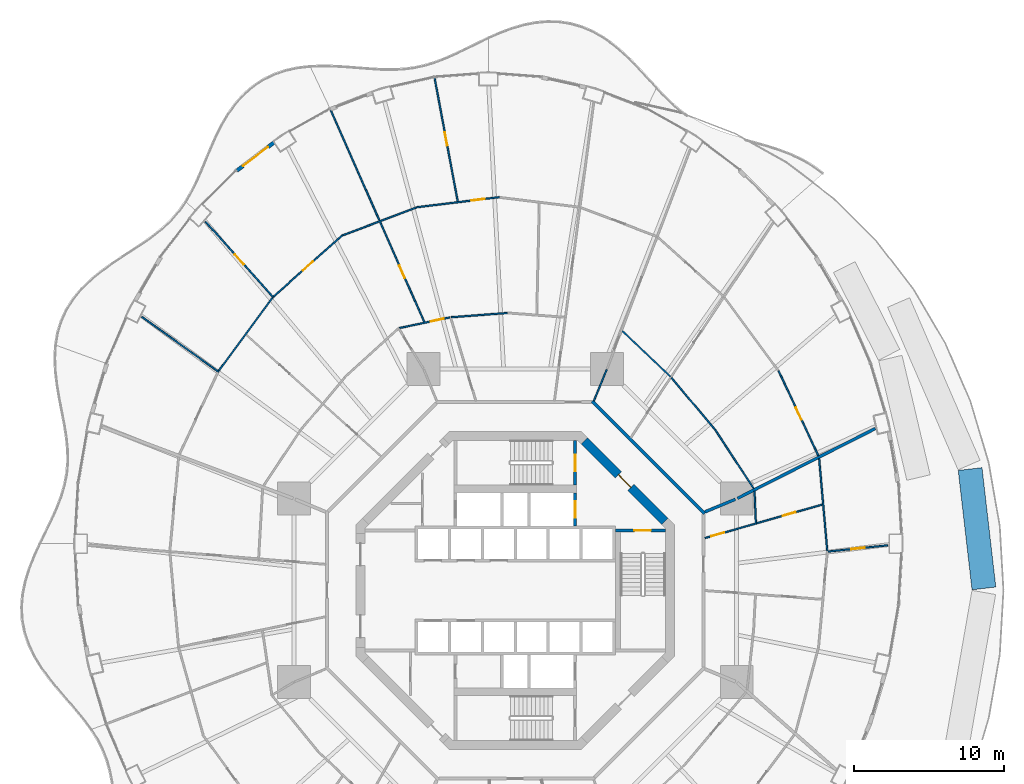
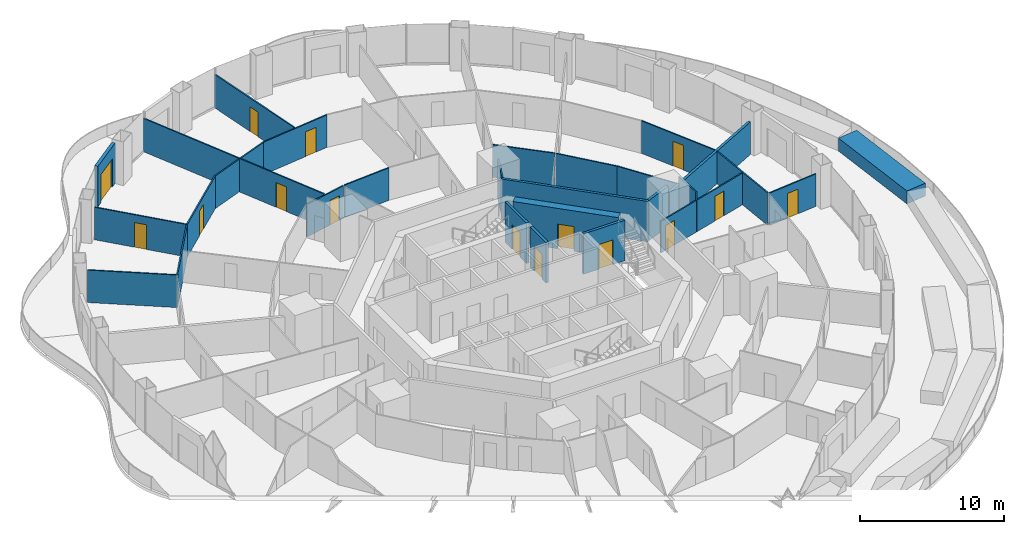
# One storey, part 18 of 22: 28 walls, 15 doors, 15 openings.
"""IFC4 building model written with IfcOpenShell, lengths in metres."""

from ifc_helpers import new_model, si_unit, direction, frame, frame_2d, origin, place, context, subcontext, project, spatial, rectangle, extrude, material, layer, layer_set, type_object, element, fill, save


model = new_model("IFC4")

# Units and contexts
model_context = context("Model", 3, precision=1e-05, world=origin(), true_north=direction((0.0, 1.0)))
body_context = subcontext(model_context, "Body", "Model", "MODEL_VIEW")
ifc_project = project(units=[si_unit("LENGTHUNIT", "METRE"), si_unit("AREAUNIT", "SQUARE_METRE"), si_unit("VOLUMEUNIT", "CUBIC_METRE"), si_unit("PLANEANGLEUNIT", "RADIAN"), si_unit("MASSUNIT", "GRAM", prefix="KILO")], contexts=[model_context])

# Site, building, storey
site_placement = place(None, origin())
site = spatial("IfcSite", under=ifc_project, at=site_placement, CompositionType="ELEMENT")
building_placement = place(site_placement, origin())
building = spatial("IfcBuilding", under=site, at=building_placement, Name="Nagisa Residences", CompositionType="ELEMENT")
storey_placement = place(building_placement, frame((0.0, 0.0, 73.300048828125)))
storey = spatial("IfcBuildingStorey", under=building, at=storey_placement, Name="L17", CompositionType="ELEMENT", Elevation=73.300048828125)

# Walls
ifc_material_1 = material(Name="Gypsum board on steel studs", Category="steel")
ifc_layer_1 = layer(ifc_material_1, 0.199951171875)
ifc_layer_set_1 = layer_set([ifc_layer_1], Name="Apartment compartment wall EI60 200")
wall_type_1 = type_object("IfcWallType", Name="Apartment compartment wall EI60 200", PredefinedType="PARTITIONING", material=ifc_layer_set_1)
wall_1_placement = place(storey_placement, frame((12.6572265625, 5.24267578125, 0.0), z_axis=(0.0, 0.0, 1.0), x_axis=(0.923876145736, 0.382691608661, 0.0)))
element("IfcWall", 1, at=wall_1_placement, inside=storey, type_object=wall_type_1, Name="wall:L17:u00", PredefinedType="PARTITIONING", context=body_context, shape_type="SweptSolid", body=[
    extrude(rectangle(XDim=2.19970703125, YDim=0.199951171875, at=frame_2d((1.099853515625, 0.0))), origin(), (0.0, 0.0, 1.0), 3.43994140625),
])
wall_2_placement = place(storey_placement, frame((14.82666015625, 6.1455078125, 0.0), z_axis=(0.0, 0.0, 1.0), x_axis=(0.892068075337, 0.451901038906, 0.0)))
element("IfcWall", 2, at=wall_2_placement, inside=storey, type_object=wall_type_1, Name="wall:L17:u01", PredefinedType="PARTITIONING", context=body_context, shape_type="SweptSolid", body=[
    extrude(rectangle(XDim=10.31982421875, YDim=0.199951171875, at=frame_2d((5.159912109375, 0.0))), origin(), (0.0, 0.0, 1.0), 2.761962890625),
])
ifc_material_2 = material(Name="Gypsum board on steel studs", Category="steel")
ifc_layer_2 = layer(ifc_material_2, 0.199951171875)
ifc_layer_set_2 = layer_set([ifc_layer_2], Name="Apartment entry wall EI60 200")
wall_type_2 = type_object("IfcWallType", Name="Apartment entry wall EI60 200", PredefinedType="PARTITIONING", material=ifc_layer_set_2)
wall_3_placement = place(storey_placement, frame((12.635498046875, 5.1337890625, 0.0), z_axis=(0.0, 0.0, 1.0), x_axis=(-0.707106781187, 0.707106781187, 0.0)))
element("IfcWall", 3, at=wall_3_placement, inside=storey, type_object=wall_type_2, Name="wall:L17:u09", PredefinedType="PARTITIONING", context=body_context, shape_type="SweptSolid", body=[
    extrude(rectangle(XDim=10.609130859375, YDim=0.199951171875, at=frame_2d((5.3046875, 0.0))), origin(), (0.0, 0.0, 1.0), 3.43994140625),
])

# Wall, opening, door
ifc_material_3 = material(Name="Gypsum board on steel studs", Category="steel")
ifc_layer_3 = layer(ifc_material_3, 0.10009765625)
ifc_layer_set_3 = layer_set([ifc_layer_3], Name="Apartment partition 100")
wall_type_3 = type_object("IfcWallType", Name="Apartment partition 100", PredefinedType="PARTITIONING", material=ifc_layer_set_3)
wall_4_placement = place(storey_placement, frame((20.879150390625, 2.597412109375, 0.0), z_axis=(0.0, 0.0, 1.0), x_axis=(0.994666546694, 0.103142914868, 0.0)))
wall_4 = element("IfcWall", 4, at=wall_4_placement, inside=storey, type_object=wall_type_3, Name="wall:L17:u16", PredefinedType="PARTITIONING", context=body_context, shape_type="SweptSolid", body=[
    extrude(rectangle(XDim=3.997802734375, YDim=0.10009765625, at=frame_2d((1.9990234375, 0.0))), origin(), (0.0, 0.0, 1.0), 2.761962890625),
])
opening_1_placement = place(wall_4_placement, frame((1.548828125, 0.0, 0.0)))
opening_1 = element("IfcOpeningElement", 5, at=opening_1_placement, cuts=wall_4, Name="Opening L17-U54", PredefinedType="OPENING", context=body_context, shape_type="SweptSolid", body=[
    extrude(rectangle(XDim=0.89990234375, YDim=2.10009765625, at=frame_2d((0.449951171875, 1.050048828125))), frame((0.0, 0.06005859375, 0.0), z_axis=(0.0, -1.0, 0.0), x_axis=(1.0, 0.0, 0.0)), (0.0, 0.0, 1.0), 0.1201171875),
])
ifc_material_4 = material(Name="Timber door set", Category="wood")
door_type_1 = type_object("IfcDoorType", Name="Apartment door 900x2100", OperationType="NOTDEFINED", PredefinedType="DOOR", material=ifc_material_4)
door_1_placement = place(opening_1_placement, origin())
door_1 = element("IfcDoor", 6, at=door_1_placement, inside=storey, type_object=door_type_1, Name="Door to master bedroom, Apartment 17D", OperationType="SINGLE_SWING_RIGHT", OverallHeight=2.10009765625, OverallWidth=0.89990234375, PredefinedType="DOOR", context=body_context, shape_type="SweptSolid", body=[
    extrude(rectangle(XDim=0.89990234375, YDim=2.10009765625, at=frame_2d((0.449951171875, 1.050048828125))), frame((0.0, 0.02490234375, 0.0), z_axis=(0.0, -1.0, 0.0), x_axis=(1.0, 0.0, 0.0)), (0.0, 0.0, 1.0), 0.050048828125),
])
fill(opening_1, door_1)

# Wall
wall_5_placement = place(storey_placement, frame((20.8251953125, 2.64208984375, 0.0), z_axis=(0.0, 0.0, 1.0), x_axis=(-0.087760219522, 0.996141628419, 0.0)))
element("IfcWall", 7, at=wall_5_placement, inside=storey, type_object=wall_type_3, Name="wall:L17:u17", PredefinedType="PARTITIONING", context=body_context, shape_type="SweptSolid", body=[
    extrude(rectangle(XDim=6.18701171875, YDim=0.10009765625, at=frame_2d((3.093505859375, 0.0))), origin(), (0.0, 0.0, 1.0), 2.761962890625),
])

# Wall, openings, doors
wall_6_placement = place(storey_placement, frame((12.660888671875, 3.4970703125, 0.0), z_axis=(0.0, 0.0, 1.0), x_axis=(0.961626678623, 0.274361314621, 0.0)))
wall_6 = element("IfcWall", 8, at=wall_6_placement, inside=storey, type_object=wall_type_3, Name="wall:L17:u19", PredefinedType="PARTITIONING", context=body_context, shape_type="SweptSolid", body=[
    extrude(rectangle(XDim=8.155517578125, YDim=0.10009765625, at=frame_2d((4.07763671875, 0.0))), origin(), (0.0, 0.0, 1.0), 2.68701171875),
])
opening_2_placement = place(wall_6_placement, frame((0.4462890625, 0.0, 0.0)))
opening_2 = element("IfcOpeningElement", 9, at=opening_2_placement, cuts=wall_6, Name="Opening L17-U50", PredefinedType="OPENING", context=body_context, shape_type="SweptSolid", body=[
    extrude(rectangle(XDim=0.89990234375, YDim=2.10009765625, at=frame_2d((0.449951171875, 1.050048828125))), frame((0.0, 0.06005859375, 0.0), z_axis=(0.0, -1.0, 0.0), x_axis=(1.0, 0.0, 0.0)), (0.0, 0.0, 1.0), 0.1201171875),
])
opening_3_placement = place(wall_6_placement, frame((5.39013671875, 0.0, 0.0)))
opening_3 = element("IfcOpeningElement", 10, at=opening_3_placement, cuts=wall_6, Name="Opening L17-U52", PredefinedType="OPENING", context=body_context, shape_type="SweptSolid", body=[
    extrude(rectangle(XDim=0.89990234375, YDim=2.10009765625, at=frame_2d((0.449951171875, 1.050048828125))), frame((0.0, 0.06005859375, 0.0), z_axis=(0.0, -1.0, 0.0), x_axis=(1.0, 0.0, 0.0)), (0.0, 0.0, 1.0), 0.1201171875),
])
door_2_placement = place(opening_2_placement, origin())
door_2 = element("IfcDoor", 11, at=door_2_placement, inside=storey, type_object=door_type_1, Name="Door to family bathroom, Apartment 17D", OperationType="SINGLE_SWING_RIGHT", OverallHeight=2.10009765625, OverallWidth=0.89990234375, PredefinedType="DOOR", context=body_context, shape_type="SweptSolid", body=[
    extrude(rectangle(XDim=0.89990234375, YDim=2.10009765625, at=frame_2d((0.449951171875, 1.050048828125))), frame((0.0, 0.02490234375, 0.0), z_axis=(0.0, -1.0, 0.0), x_axis=(1.0, 0.0, 0.0)), (0.0, 0.0, 1.0), 0.050048828125),
])
fill(opening_2, door_2)
door_3_placement = place(opening_3_placement, origin())
door_3 = element("IfcDoor", 12, at=door_3_placement, inside=storey, type_object=door_type_1, Name="Door to family bathroom, Apartment 17D", OperationType="SINGLE_SWING_RIGHT", OverallHeight=2.10009765625, OverallWidth=0.89990234375, PredefinedType="DOOR", context=body_context, shape_type="SweptSolid", body=[
    extrude(rectangle(XDim=0.89990234375, YDim=2.10009765625, at=frame_2d((0.449951171875, 1.050048828125))), frame((0.0, 0.02490234375, 0.0), z_axis=(0.0, -1.0, 0.0), x_axis=(1.0, 0.0, 0.0)), (0.0, 0.0, 1.0), 0.050048828125),
])
fill(opening_3, door_3)

# Walls
wall_7_placement = place(storey_placement, frame((16.064453125, 4.4150390625, 0.0), z_axis=(0.0, 0.0, 1.0), x_axis=(-0.043101501373, 0.999070698489, 0.0)))
element("IfcWall", 13, at=wall_7_placement, inside=storey, type_object=wall_type_3, Name="wall:L17:u20", PredefinedType="PARTITIONING", context=body_context, shape_type="SweptSolid", body=[
    extrude(rectangle(XDim=2.208984375, YDim=0.10009765625, at=frame_2d((1.1044921875, 0.0))), origin(), (0.0, 0.0, 1.0), 3.43994140625),
])
wall_8_placement = place(storey_placement, frame((15.91015625, 6.8056640625, 0.0), z_axis=(0.0, 0.0, 1.0), x_axis=(-0.547468243486, 0.836826458936, 0.0)))
element("IfcWall", 14, at=wall_8_placement, inside=storey, type_object=wall_type_3, Name="wall:L17:u21", PredefinedType="PARTITIONING", context=body_context, shape_type="SweptSolid", body=[
    extrude(rectangle(XDim=4.687744140625, YDim=0.10009765625, at=frame_2d((2.34375, 0.0))), origin(), (0.0, 0.0, 1.0), 2.761962890625),
])

# Wall, opening, door
wall_9_placement = place(storey_placement, frame((20.23095703125, 8.995361328125, 0.0), z_axis=(0.0, 0.0, 1.0), x_axis=(-0.424587886407, 0.905386727712, 0.0)))
wall_9 = element("IfcWall", 15, at=wall_9_placement, inside=storey, type_object=wall_type_3, Name="wall:L17:u22", PredefinedType="PARTITIONING", context=body_context, shape_type="SweptSolid", body=[
    extrude(rectangle(XDim=6.25439453125, YDim=0.10009765625, at=frame_2d((3.127197265625, 0.0))), origin(), (0.0, 0.0, 1.0), 2.761962890625),
])
opening_4_placement = place(wall_9_placement, frame((2.652099609375, 0.0, 0.0)))
opening_4 = element("IfcOpeningElement", 16, at=opening_4_placement, cuts=wall_9, Name="Opening L17-U21", PredefinedType="OPENING", context=body_context, shape_type="SweptSolid", body=[
    extrude(rectangle(XDim=0.89990234375, YDim=2.10009765625, at=frame_2d((0.449951171875, 1.050048828125))), frame((0.0, 0.06005859375, 0.0), z_axis=(0.0, -1.0, 0.0), x_axis=(1.0, 0.0, 0.0)), (0.0, 0.0, 1.0), 0.1201171875),
])
door_4_placement = place(opening_4_placement, frame((0.89990234375, 0.0, 0.0), x_axis=(-1.0, 0.0, 0.0)))
door_4 = element("IfcDoor", 17, at=door_4_placement, inside=storey, type_object=door_type_1, Name="Door to family room, Apartment 17A", OperationType="SINGLE_SWING_RIGHT", OverallHeight=2.10009765625, OverallWidth=0.89990234375, PredefinedType="DOOR", context=body_context, shape_type="SweptSolid", body=[
    extrude(rectangle(XDim=0.89990234375, YDim=2.10009765625, at=frame_2d((0.449951171875, 1.050048828125))), frame((0.0, 0.02490234375, 0.0), z_axis=(0.0, -1.0, 0.0), x_axis=(1.0, 0.0, 0.0)), (0.0, 0.0, 1.0), 0.050048828125),
])
fill(opening_4, door_4)

# Walls
wall_10_placement = place(storey_placement, frame((13.339111328125, 10.724853515625, 0.0), z_axis=(0.0, 0.0, 1.0), x_axis=(-0.642515455924, 0.766272724882, 0.0)))
element("IfcWall", 18, at=wall_10_placement, inside=storey, type_object=wall_type_3, Name="wall:L17:u23", PredefinedType="PARTITIONING", context=body_context, shape_type="SweptSolid", body=[
    extrude(rectangle(XDim=4.537353515625, YDim=0.10009765625, at=frame_2d((2.2685546875, 0.0))), origin(), (0.0, 0.0, 1.0), 2.761962890625),
])
wall_11_placement = place(storey_placement, frame((10.35546875, 14.274169921875, 0.0), z_axis=(0.0, 0.0, 1.0), x_axis=(-0.725219204328, 0.688518050361, 0.0)))
element("IfcWall", 19, at=wall_11_placement, inside=storey, type_object=wall_type_3, Name="wall:L17:u26", PredefinedType="PARTITIONING", context=body_context, shape_type="SweptSolid", body=[
    extrude(rectangle(XDim=4.43701171875, YDim=0.10009765625, at=frame_2d((2.218505859375, 0.0))), origin(), (0.0, 0.0, 1.0), 2.761962890625),
])
wall_12_placement = place(storey_placement, frame((5.24267578125, 12.6572265625, 0.0), z_axis=(0.0, 0.0, 1.0), x_axis=(0.382719158442, 0.923864733477, 0.0)))
element("IfcWall", 20, at=wall_12_placement, inside=storey, type_object=wall_type_3, Name="wall:L17:u28", PredefinedType="PARTITIONING", context=body_context, shape_type="SweptSolid", body=[
    extrude(rectangle(XDim=2.25, YDim=0.10009765625, at=frame_2d((1.125, 0.0))), origin(), (0.0, 0.0, 1.0), 3.43994140625),
])
wall_13_placement = place(storey_placement, frame((-0.535888671875, 18.519287109375, 0.0), z_axis=(0.0, 0.0, 1.0), x_axis=(-0.99715294352, -0.075405618017, 0.0)))
element("IfcWall", 21, at=wall_13_placement, inside=storey, type_object=wall_type_3, Name="wall:L17:u35", PredefinedType="PARTITIONING", context=body_context, shape_type="SweptSolid", body=[
    extrude(rectangle(XDim=3.74609375, YDim=0.10009765625, at=frame_2d((1.873046875, 0.0))), origin(), (0.0, 0.0, 1.0), 2.761962890625),
])

# Wall, opening, door
wall_14_placement = place(storey_placement, frame((-1.06640625, 26.2529296875, 0.0), z_axis=(0.0, 0.0, 1.0), x_axis=(-0.992574197255, -0.121640712523, 0.0)))
wall_14 = element("IfcWall", 22, at=wall_14_placement, inside=storey, type_object=wall_type_3, Name="wall:L17:u36", PredefinedType="PARTITIONING", context=body_context, shape_type="SweptSolid", body=[
    extrude(rectangle(XDim=5.57373046875, YDim=0.10009765625, at=frame_2d((2.786865234375, 0.0))), origin(), (0.0, 0.0, 1.0), 2.761962890625),
])
opening_5_placement = place(wall_14_placement, frame((0.968505859375, 0.0, 0.0)))
opening_5 = element("IfcOpeningElement", 23, at=opening_5_placement, cuts=wall_14, Name="Opening L17-U14", PredefinedType="OPENING", context=body_context, shape_type="SweptSolid", body=[
    extrude(rectangle(XDim=0.89990234375, YDim=2.10009765625, at=frame_2d((0.449951171875, 1.050048828125))), frame((0.0, 0.06005859375, 0.0), z_axis=(0.0, -1.0, 0.0), x_axis=(1.0, 0.0, 0.0)), (0.0, 0.0, 1.0), 0.1201171875),
])
door_5_placement = place(opening_5_placement, frame((0.89990234375, 0.0, 0.0), x_axis=(-1.0, 0.0, 0.0)))
door_5 = element("IfcDoor", 24, at=door_5_placement, inside=storey, type_object=door_type_1, Name="Door to living room, Apartment 17A", OperationType="SINGLE_SWING_LEFT", OverallHeight=2.10009765625, OverallWidth=0.89990234375, PredefinedType="DOOR", context=body_context, shape_type="SweptSolid", body=[
    extrude(rectangle(XDim=0.89990234375, YDim=2.10009765625, at=frame_2d((0.449951171875, 1.050048828125))), frame((0.0, 0.02490234375, 0.0), z_axis=(0.0, -1.0, 0.0), x_axis=(1.0, 0.0, 0.0)), (0.0, 0.0, 1.0), 0.050048828125),
])
fill(opening_5, door_5)

wall_15_placement = place(storey_placement, frame((-3.841796875, 25.963134765625, 0.0), z_axis=(0.0, 0.0, 1.0), x_axis=(-0.184068442651, 0.982913428752, 0.0)))
wall_15 = element("IfcWall", 25, at=wall_15_placement, inside=storey, type_object=wall_type_3, Name="wall:L17:u37", PredefinedType="PARTITIONING", context=body_context, shape_type="SweptSolid", body=[
    extrude(rectangle(XDim=8.505859375, YDim=0.10009765625, at=frame_2d((4.2529296875, 0.0))), origin(), (0.0, 0.0, 1.0), 2.8369140625),
])
opening_6_placement = place(wall_15_placement, frame((3.802978515625, 0.0, 0.0)))
opening_6 = element("IfcOpeningElement", 26, at=opening_6_placement, cuts=wall_15, Name="Opening L17-U15", PredefinedType="OPENING", context=body_context, shape_type="SweptSolid", body=[
    extrude(rectangle(XDim=0.89990234375, YDim=2.10009765625, at=frame_2d((0.449951171875, 1.050048828125))), frame((0.0, 0.06005859375, 0.0), z_axis=(0.0, -1.0, 0.0), x_axis=(1.0, 0.0, 0.0)), (0.0, 0.0, 1.0), 0.1201171875),
])
door_6_placement = place(opening_6_placement, origin())
door_6 = element("IfcDoor", 27, at=door_6_placement, inside=storey, type_object=door_type_1, Name="Door to master bedroom, Apartment 17A", OperationType="SINGLE_SWING_LEFT", OverallHeight=2.10009765625, OverallWidth=0.89990234375, PredefinedType="DOOR", context=body_context, shape_type="SweptSolid", body=[
    extrude(rectangle(XDim=0.89990234375, YDim=2.10009765625, at=frame_2d((0.449951171875, 1.050048828125))), frame((0.0, 0.02490234375, 0.0), z_axis=(0.0, -1.0, 0.0), x_axis=(1.0, 0.0, 0.0)), (0.0, 0.0, 1.0), 0.050048828125),
])
fill(opening_6, door_6)

wall_16_placement = place(storey_placement, frame((-4.369873046875, 18.222900390625, 0.0), z_axis=(0.0, 0.0, 1.0), x_axis=(-0.978619056583, -0.205681166112, 0.0)))
wall_16 = element("IfcWall", 28, at=wall_16_placement, inside=storey, type_object=wall_type_3, Name="wall:L17:u39", PredefinedType="PARTITIONING", context=body_context, shape_type="SweptSolid", body=[
    extrude(rectangle(XDim=3.4375, YDim=0.10009765625, at=frame_2d((1.71875, 0.0))), origin(), (0.0, 0.0, 1.0), 2.761962890625),
])
opening_7_placement = place(wall_16_placement, frame((0.409423828125, 0.0, 0.0)))
opening_7 = element("IfcOpeningElement", 29, at=opening_7_placement, cuts=wall_16, Name="Opening L17-U09", PredefinedType="OPENING", context=body_context, shape_type="SweptSolid", body=[
    extrude(rectangle(XDim=0.89990234375, YDim=2.10009765625, at=frame_2d((0.449951171875, 1.050048828125))), frame((0.0, 0.06005859375, 0.0), z_axis=(0.0, -1.0, 0.0), x_axis=(1.0, 0.0, 0.0)), (0.0, 0.0, 1.0), 0.1201171875),
])
door_7_placement = place(opening_7_placement, frame((0.89990234375, 0.0, 0.0), x_axis=(-1.0, 0.0, 0.0)))
door_7 = element("IfcDoor", 30, at=door_7_placement, inside=storey, type_object=door_type_1, Name="Door to dining room, Apartment 17A", OperationType="SINGLE_SWING_RIGHT", OverallHeight=2.10009765625, OverallWidth=0.89990234375, PredefinedType="DOOR", context=body_context, shape_type="SweptSolid", body=[
    extrude(rectangle(XDim=0.89990234375, YDim=2.10009765625, at=frame_2d((0.449951171875, 1.050048828125))), frame((0.0, 0.02490234375, 0.0), z_axis=(0.0, -1.0, 0.0), x_axis=(1.0, 0.0, 0.0)), (0.0, 0.0, 1.0), 0.050048828125),
])
fill(opening_7, door_7)

# Wall
wall_17_placement = place(storey_placement, frame((-6.595703125, 25.5634765625, 0.0), z_axis=(0.0, 0.0, 1.0), x_axis=(-0.9356162121, -0.353018843201, 0.0)))
element("IfcWall", 31, at=wall_17_placement, inside=storey, type_object=wall_type_3, Name="wall:L17:u40", PredefinedType="PARTITIONING", context=body_context, shape_type="SweptSolid", body=[
    extrude(rectangle(XDim=5.2490234375, YDim=0.10009765625, at=frame_2d((2.62451171875, 0.0))), origin(), (0.0, 0.0, 1.0), 2.761962890625),
])

# Wall, opening, door
wall_18_placement = place(storey_placement, frame((-6.072021484375, 17.9150390625, 0.0), z_axis=(0.0, 0.0, 1.0), x_axis=(-0.404139814253, 0.914697223422, 0.0)))
wall_18 = element("IfcWall", 32, at=wall_18_placement, inside=storey, type_object=wall_type_3, Name="wall:L17:u41", PredefinedType="PARTITIONING", context=body_context, shape_type="SweptSolid", body=[
    extrude(rectangle(XDim=15.6142578125, YDim=0.10009765625, at=frame_2d((7.80712890625, 0.0))), origin(), (0.0, 0.0, 1.0), 2.8369140625),
])
opening_8_placement = place(wall_18_placement, frame((3.226318359375, 0.0, 0.0)))
opening_8 = element("IfcOpeningElement", 33, at=opening_8_placement, cuts=wall_18, Name="Opening L17-U10", PredefinedType="OPENING", context=body_context, shape_type="SweptSolid", body=[
    extrude(rectangle(XDim=0.89990234375, YDim=2.10009765625, at=frame_2d((0.449951171875, 1.050048828125))), frame((0.0, 0.06005859375, 0.0), z_axis=(0.0, -1.0, 0.0), x_axis=(1.0, 0.0, 0.0)), (0.0, 0.0, 1.0), 0.1201171875),
])
door_8_placement = place(opening_8_placement, origin())
door_8 = element("IfcDoor", 34, at=door_8_placement, inside=storey, type_object=door_type_1, Name="Door to family room, Apartment 17A", OperationType="SINGLE_SWING_RIGHT", OverallHeight=2.10009765625, OverallWidth=0.89990234375, PredefinedType="DOOR", context=body_context, shape_type="SweptSolid", body=[
    extrude(rectangle(XDim=0.89990234375, YDim=2.10009765625, at=frame_2d((0.449951171875, 1.050048828125))), frame((0.0, 0.02490234375, 0.0), z_axis=(0.0, -1.0, 0.0), x_axis=(1.0, 0.0, 0.0)), (0.0, 0.0, 1.0), 0.050048828125),
])
fill(opening_8, door_8)

wall_19_placement = place(storey_placement, frame((-11.51611328125, 23.72607421875, 0.0), z_axis=(0.0, 0.0, 1.0), x_axis=(-0.747428955243, -0.664341747043, 0.0)))
wall_19 = element("IfcWall", 35, at=wall_19_placement, inside=storey, type_object=wall_type_3, Name="wall:L17:u45", PredefinedType="PARTITIONING", context=body_context, shape_type="SweptSolid", body=[
    extrude(rectangle(XDim=6.173583984375, YDim=0.10009765625, at=frame_2d((3.0869140625, 0.0))), origin(), (0.0, 0.0, 1.0), 2.761962890625),
])
opening_9_placement = place(wall_19_placement, frame((2.66162109375, 0.0, 0.0)))
opening_9 = element("IfcOpeningElement", 36, at=opening_9_placement, cuts=wall_19, Name="Opening L17-U16", PredefinedType="OPENING", context=body_context, shape_type="SweptSolid", body=[
    extrude(rectangle(XDim=0.89990234375, YDim=2.10009765625, at=frame_2d((0.449951171875, 1.050048828125))), frame((0.0, 0.06005859375, 0.0), z_axis=(0.0, -1.0, 0.0), x_axis=(1.0, 0.0, 0.0)), (0.0, 0.0, 1.0), 0.1201171875),
])
door_9_placement = place(opening_9_placement, frame((0.89990234375, 0.0, 0.0), x_axis=(-1.0, 0.0, 0.0)))
door_9 = element("IfcDoor", 37, at=door_9_placement, inside=storey, type_object=door_type_1, Name="Door to living room, Apartment 17A", OperationType="SINGLE_SWING_LEFT", OverallHeight=2.10009765625, OverallWidth=0.89990234375, PredefinedType="DOOR", context=body_context, shape_type="SweptSolid", body=[
    extrude(rectangle(XDim=0.89990234375, YDim=2.10009765625, at=frame_2d((0.449951171875, 1.050048828125))), frame((0.0, 0.02490234375, 0.0), z_axis=(0.0, -1.0, 0.0), x_axis=(1.0, 0.0, 0.0)), (0.0, 0.0, 1.0), 0.050048828125),
])
fill(opening_9, door_9)

wall_20_placement = place(storey_placement, frame((-16.13427734375, 19.554443359375, 0.0), z_axis=(0.0, 0.0, 1.0), x_axis=(-0.667985610263, 0.74417418961, 0.0)))
wall_20 = element("IfcWall", 38, at=wall_20_placement, inside=storey, type_object=wall_type_3, Name="wall:L17:u47", PredefinedType="PARTITIONING", context=body_context, shape_type="SweptSolid", body=[
    extrude(rectangle(XDim=6.809326171875, YDim=0.10009765625, at=frame_2d((3.40478515625, 0.0))), origin(), (0.0, 0.0, 1.0), 2.761962890625),
])
opening_10_placement = place(wall_20_placement, frame((2.979736328125, 0.0, 0.0)))
opening_10 = element("IfcOpeningElement", 39, at=opening_10_placement, cuts=wall_20, Name="Opening L17-U17", PredefinedType="OPENING", context=body_context, shape_type="SweptSolid", body=[
    extrude(rectangle(XDim=0.89990234375, YDim=2.10009765625, at=frame_2d((0.449951171875, 1.050048828125))), frame((0.0, 0.06005859375, 0.0), z_axis=(0.0, -1.0, 0.0), x_axis=(1.0, 0.0, 0.0)), (0.0, 0.0, 1.0), 0.1201171875),
])
door_10_placement = place(opening_10_placement, origin())
door_10 = element("IfcDoor", 40, at=door_10_placement, inside=storey, type_object=door_type_1, Name="Door to master bedroom, Apartment 17A", OperationType="SINGLE_SWING_LEFT", OverallHeight=2.10009765625, OverallWidth=0.89990234375, PredefinedType="DOOR", context=body_context, shape_type="SweptSolid", body=[
    extrude(rectangle(XDim=0.89990234375, YDim=2.10009765625, at=frame_2d((0.449951171875, 1.050048828125))), frame((0.0, 0.02490234375, 0.0), z_axis=(0.0, -1.0, 0.0), x_axis=(1.0, 0.0, 0.0)), (0.0, 0.0, 1.0), 0.050048828125),
])
fill(opening_10, door_10)

# Walls
wall_21_placement = place(storey_placement, frame((-16.197265625, 19.55126953125, 0.0), z_axis=(0.0, 0.0, 1.0), x_axis=(-0.592391983588, -0.80564988536, 0.0)))
element("IfcWall", 41, at=wall_21_placement, inside=storey, type_object=wall_type_3, Name="wall:L17:u48", PredefinedType="PARTITIONING", context=body_context, shape_type="SweptSolid", body=[
    extrude(rectangle(XDim=6.080078125, YDim=0.10009765625, at=frame_2d((3.0400390625, 0.0))), origin(), (0.0, 0.0, 1.0), 2.761962890625),
])
wall_22_placement = place(storey_placement, frame((-19.7880859375, 14.58349609375, 0.0), z_axis=(0.0, 0.0, 1.0), x_axis=(-0.813175286569, 0.58201885993, 0.0)))
element("IfcWall", 42, at=wall_22_placement, inside=storey, type_object=wall_type_3, Name="wall:L17:u51", PredefinedType="PARTITIONING", context=body_context, shape_type="SweptSolid", body=[
    extrude(rectangle(XDim=6.32861328125, YDim=0.10009765625, at=frame_2d((3.164306640625, 0.0))), origin(), (0.0, 0.0, 1.0), 2.761962890625),
])

# Wall, opening, door
ifc_material_5 = material(Name="Precast concrete C40/50", Category="concrete")
ifc_layer_4 = layer(ifc_material_5, 0.25)
ifc_layer_set_4 = layer_set([ifc_layer_4], Name="BALCONY DOOR WALL 250")
wall_type_4 = type_object("IfcWallType", Name="BALCONY DOOR WALL 250", PredefinedType="SOLIDWALL", material=ifc_layer_set_4)
wall_23_placement = place(storey_placement, frame((-18.583984375, 28.020751953125, 0.0), z_axis=(0.0, 0.0, 1.0), x_axis=(0.796037575978, 0.605247203736, 0.0)))
wall_23 = element("IfcWall", 43, at=wall_23_placement, inside=storey, type_object=wall_type_4, Name="wall:L17:bay16", PredefinedType="SOLIDWALL", context=body_context, shape_type="SweptSolid", body=[
    extrude(rectangle(XDim=3.1337890625, YDim=0.25, at=frame_2d((1.56689453125, 0.0))), origin(), (0.0, 0.0, 1.0), 3.43994140625),
])
opening_11_placement = place(wall_23_placement, frame((0.51708984375, 0.0, 0.0)))
opening_11 = element("IfcOpeningElement", 44, at=opening_11_placement, cuts=wall_23, Name="Opening BD-L17-06", PredefinedType="OPENING", context=body_context, shape_type="SweptSolid", body=[
    extrude(rectangle(XDim=2.10009765625, YDim=2.39990234375, at=frame_2d((1.050048828125, 1.199951171875))), frame((0.0, 0.135009765625, 0.0), z_axis=(0.0, -1.0, 0.0), x_axis=(1.0, 0.0, 0.0)), (0.0, 0.0, 1.0), 0.27001953125),
])
ifc_material_6 = material(Name="Aluminium and clear glass", Category="aluminium")
door_type_2 = type_object("IfcDoorType", Name="BALCONY SLIDING DOOR 2100x2400", OperationType="SLIDING_TO_LEFT", PredefinedType="DOOR", material=ifc_material_6)
door_11_placement = place(opening_11_placement, origin())
door_11 = element("IfcDoor", 45, at=door_11_placement, inside=storey, type_object=door_type_2, Name="door:L17:bay16", OperationType="SLIDING_TO_LEFT", OverallHeight=2.39990234375, OverallWidth=2.10009765625, PredefinedType="DOOR", context=body_context, shape_type="SweptSolid", body=[
    extrude(rectangle(XDim=2.10009765625, YDim=2.39990234375, at=frame_2d((1.050048828125, 1.199951171875))), frame((0.0, 0.02490234375, 0.0), z_axis=(0.0, -1.0, 0.0), x_axis=(1.0, 0.0, 0.0)), (0.0, 0.0, 1.0), 0.050048828125),
])
fill(opening_11, door_11)

ifc_material_7 = material(Name="Concrete C60", Category="concrete")
ifc_layer_5 = layer(ifc_material_7, 0.60009765625)
ifc_layer_set_5 = layer_set([ifc_layer_5], Name="Core shear wall 600")
wall_type_5 = type_object("IfcWallType", Name="Core shear wall 600", PredefinedType="SHEAR", material=ifc_layer_set_5)
wall_24_placement = place(storey_placement, frame((9.98828125, 4.613037109375, 0.0), z_axis=(0.0, 0.0, 1.0), x_axis=(-0.707106781187, 0.707106781187, 0.0)))
wall_24 = element("IfcWall", 46, at=wall_24_placement, inside=storey, type_object=wall_type_5, Name="wall:L17:core:flat1", PredefinedType="SHEAR", context=body_context, shape_type="SweptSolid", body=[
    extrude(rectangle(XDim=7.601806640625, YDim=0.60009765625, at=frame_2d((3.80078125, 0.0))), origin(), (0.0, 0.0, 1.0), 3.43994140625),
])
opening_12_placement = place(wall_24_placement, frame((3.200927734375, 0.0, 0.0)))
opening_12 = element("IfcOpeningElement", 47, at=opening_12_placement, cuts=wall_24, Name="Opening L17-C16", PredefinedType="OPENING", context=body_context, shape_type="SweptSolid", body=[
    extrude(rectangle(XDim=1.199951171875, YDim=2.10009765625, at=frame_2d((0.60009765625, 1.050048828125))), frame((0.0, 0.31005859375, 0.0), z_axis=(0.0, -1.0, 0.0), x_axis=(1.0, 0.0, 0.0)), (0.0, 0.0, 1.0), 0.6201171875),
])
ifc_material_8 = material(Name="Steel fire door", Category="steel")
door_type_3 = type_object("IfcDoorType", Name="Fire door EI60 1200x2100 single swing", OperationType="NOTDEFINED", PredefinedType="DOOR", material=ifc_material_8)
door_12_placement = place(opening_12_placement, origin())
door_12 = element("IfcDoor", 48, at=door_12_placement, inside=storey, type_object=door_type_3, Name="Firefighting lobby 1 door L17", OperationType="SINGLE_SWING_LEFT", OverallHeight=2.10009765625, OverallWidth=1.199951171875, PredefinedType="DOOR", context=body_context, shape_type="SweptSolid", body=[
    extrude(rectangle(XDim=1.199951171875, YDim=2.10009765625, at=frame_2d((0.60009765625, 1.050048828125))), frame((0.0, 0.02490234375, 0.0), z_axis=(0.0, -1.0, 0.0), x_axis=(1.0, 0.0, 0.0)), (0.0, 0.0, 1.0), 0.050048828125),
])
fill(opening_12, door_12)

ifc_material_9 = material(Name="Concrete C60", Category="concrete")
ifc_layer_6 = layer(ifc_material_9, 0.199951171875)
ifc_layer_set_6 = layer_set([ifc_layer_6], Name="Lift shaft wall 200")
wall_type_6 = type_object("IfcWallType", Name="Lift shaft wall 200", PredefinedType="SOLIDWALL", material=ifc_layer_set_6)
wall_25_placement = place(storey_placement, frame((4.0, 4.300048828125, 0.0), z_axis=(0.0, 0.0, 1.0), x_axis=(0.0, 1.0, 0.0)))
wall_25 = element("IfcWall", 49, at=wall_25_placement, inside=storey, type_object=wall_type_6, Name="wall:L17:Nb3", PredefinedType="SOLIDWALL", context=body_context, shape_type="SweptSolid", body=[
    extrude(rectangle(XDim=2.199951171875, YDim=0.199951171875, at=frame_2d((1.10009765625, 0.0))), origin(), (0.0, 0.0, 1.0), 3.43994140625),
])
opening_13_placement = place(wall_25_placement, frame((0.550048828125, 0.0, 0.0)))
opening_13 = element("IfcOpeningElement", 50, at=opening_13_placement, cuts=wall_25, Name="Opening L17-C06", PredefinedType="OPENING", context=body_context, shape_type="SweptSolid", body=[
    extrude(rectangle(XDim=1.10009765625, YDim=2.10009765625, at=frame_2d((0.550048828125, 1.050048828125))), frame((0.0, 0.10986328125, 0.0), z_axis=(0.0, -1.0, 0.0), x_axis=(1.0, 0.0, 0.0)), (0.0, 0.0, 1.0), 0.219970703125),
])
ifc_material_10 = material(Name="Stainless steel", Category="steel")
door_type_4 = type_object("IfcDoorType", Name="Lift landing door 1100x2100", OperationType="DOUBLE_DOOR_SLIDING", PredefinedType="DOOR", material=ifc_material_10)
door_13_placement = place(opening_13_placement, origin())
door_13 = element("IfcDoor", 51, at=door_13_placement, inside=storey, type_object=door_type_4, Name="Landing door FL1 L17", OperationType="DOUBLE_DOOR_SLIDING", OverallHeight=2.10009765625, OverallWidth=1.10009765625, PredefinedType="DOOR", context=body_context, shape_type="SweptSolid", body=[
    extrude(rectangle(XDim=1.10009765625, YDim=2.10009765625, at=frame_2d((0.550048828125, 1.050048828125))), frame((0.0, 0.02490234375, 0.0), z_axis=(0.0, -1.0, 0.0), x_axis=(1.0, 0.0, 0.0)), (0.0, 0.0, 1.0), 0.050048828125),
])
fill(opening_13, door_13)

# Wall
ifc_material_11 = material(Name="Precast concrete C30/37", Category="concrete")
ifc_layer_7 = layer(ifc_material_11, 1.60009765625)
ifc_layer_set_7 = layer_set([ifc_layer_7], Name="PLANTER")
wall_type_7 = type_object("IfcWallType", Name="PLANTER", PredefinedType="SOLIDWALL", material=ifc_layer_set_7)
wall_26_placement = place(storey_placement, frame((30.3603515625, 8.10498046875, 0.0), z_axis=(0.0, 0.0, 1.0), x_axis=(0.114905930674, -0.99337637736, 0.0)))
element("IfcWall", 52, at=wall_26_placement, inside=storey, type_object=wall_type_7, Name="planter:L17:garden011", PredefinedType="SOLIDWALL", context=body_context, shape_type="SweptSolid", body=[
    extrude(rectangle(XDim=8.02294921875, YDim=1.60009765625, at=frame_2d((4.011474609375, 0.0))), origin(), (0.0, 0.0, 1.0), 1.099853515625),
])

# Wall, opening, door
ifc_material_12 = material(Name="Concrete C60", Category="concrete")
ifc_layer_8 = layer(ifc_material_12, 0.199951171875)
ifc_layer_set_8 = layer_set([ifc_layer_8], Name="Stair enclosure wall 200")
wall_type_8 = type_object("IfcWallType", Name="Stair enclosure wall 200", PredefinedType="SOLIDWALL", material=ifc_layer_set_8)
wall_27_placement = place(storey_placement, frame((6.699951171875, 4.0, 0.0), z_axis=(0.0, 0.0, 1.0), x_axis=(1.0, 0.0, 0.0)))
wall_27 = element("IfcWall", 53, at=wall_27_placement, inside=storey, type_object=wall_type_8, Name="wall:L17:SE_n", PredefinedType="SOLIDWALL", context=body_context, shape_type="SweptSolid", body=[
    extrude(rectangle(XDim=3.32470703125, YDim=0.199951171875, at=frame_2d((1.662353515625, 0.0))), origin(), (0.0, 0.0, 1.0), 3.43994140625),
])
opening_14_placement = place(wall_27_placement, frame((1.25, 0.0, 0.0)))
opening_14 = element("IfcOpeningElement", 54, at=opening_14_placement, cuts=wall_27, Name="Opening L17-C09", PredefinedType="OPENING", context=body_context, shape_type="SweptSolid", body=[
    extrude(rectangle(XDim=1.10009765625, YDim=2.10009765625, at=frame_2d((0.550048828125, 1.050048828125))), frame((0.0, 0.10986328125, 0.0), z_axis=(0.0, -1.0, 0.0), x_axis=(1.0, 0.0, 0.0)), (0.0, 0.0, 1.0), 0.219970703125),
])
ifc_material_13 = material(Name="Steel fire door", Category="steel")
door_type_5 = type_object("IfcDoorType", Name="Fire door EI90 1100x2100 single swing", OperationType="NOTDEFINED", PredefinedType="DOOR", material=ifc_material_13)
door_14_placement = place(opening_14_placement, frame((1.10009765625, 0.0, 0.0), x_axis=(-1.0, 0.0, 0.0)))
door_14 = element("IfcDoor", 55, at=door_14_placement, inside=storey, type_object=door_type_5, Name="Stair door ST-E L17", OperationType="SINGLE_SWING_RIGHT", OverallHeight=2.10009765625, OverallWidth=1.10009765625, PredefinedType="DOOR", context=body_context, shape_type="SweptSolid", body=[
    extrude(rectangle(XDim=1.10009765625, YDim=2.10009765625, at=frame_2d((0.550048828125, 1.050048828125))), frame((0.0, 0.02490234375, 0.0), z_axis=(0.0, -1.0, 0.0), x_axis=(1.0, 0.0, 0.0)), (0.0, 0.0, 1.0), 0.050048828125),
])
fill(opening_14, door_14)

wall_28_placement = place(storey_placement, frame((4.0, 7.024658203125, 0.0), z_axis=(0.0, 0.0, 1.0), x_axis=(0.0, 1.0, 0.0)))
wall_28 = element("IfcWall", 56, at=wall_28_placement, inside=storey, type_object=wall_type_8, Name="wall:L17:SN_e", PredefinedType="SOLIDWALL", context=body_context, shape_type="SweptSolid", body=[
    extrude(rectangle(XDim=3.0, YDim=0.199951171875, at=frame_2d((1.5, 0.0))), origin(), (0.0, 0.0, 1.0), 3.43994140625),
])
opening_15_placement = place(wall_28_placement, frame((0.92529296875, 0.0, 0.0)))
opening_15 = element("IfcOpeningElement", 57, at=opening_15_placement, cuts=wall_28, Name="Opening L17-C10", PredefinedType="OPENING", context=body_context, shape_type="SweptSolid", body=[
    extrude(rectangle(XDim=1.10009765625, YDim=2.10009765625, at=frame_2d((0.550048828125, 1.050048828125))), frame((0.0, 0.10986328125, 0.0), z_axis=(0.0, -1.0, 0.0), x_axis=(1.0, 0.0, 0.0)), (0.0, 0.0, 1.0), 0.219970703125),
])
door_15_placement = place(opening_15_placement, origin())
door_15 = element("IfcDoor", 58, at=door_15_placement, inside=storey, type_object=door_type_5, Name="Stair door ST-N L17", OperationType="SINGLE_SWING_LEFT", OverallHeight=2.10009765625, OverallWidth=1.10009765625, PredefinedType="DOOR", context=body_context, shape_type="SweptSolid", body=[
    extrude(rectangle(XDim=1.10009765625, YDim=2.10009765625, at=frame_2d((0.550048828125, 1.050048828125))), frame((0.0, 0.02490234375, 0.0), z_axis=(0.0, -1.0, 0.0), x_axis=(1.0, 0.0, 0.0)), (0.0, 0.0, 1.0), 0.050048828125),
])
fill(opening_15, door_15)

save(model, "model.ifc")
